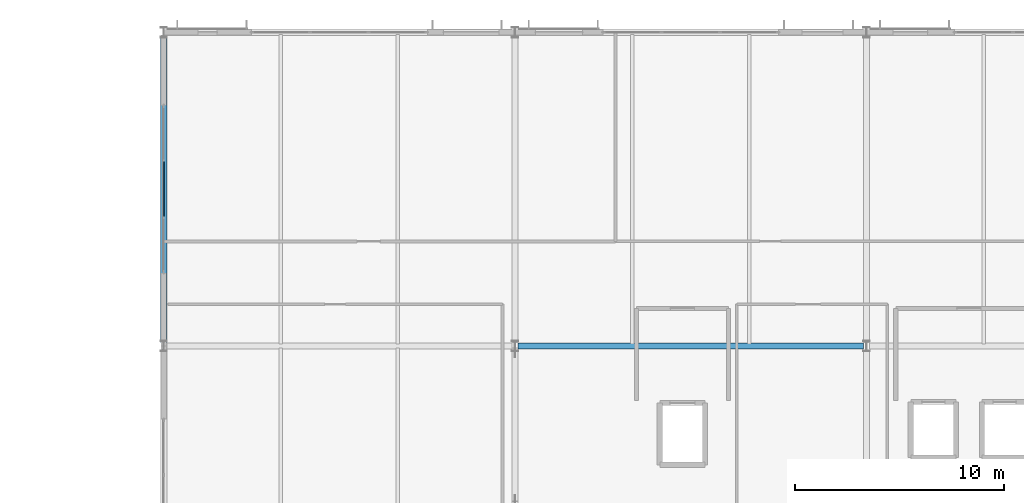
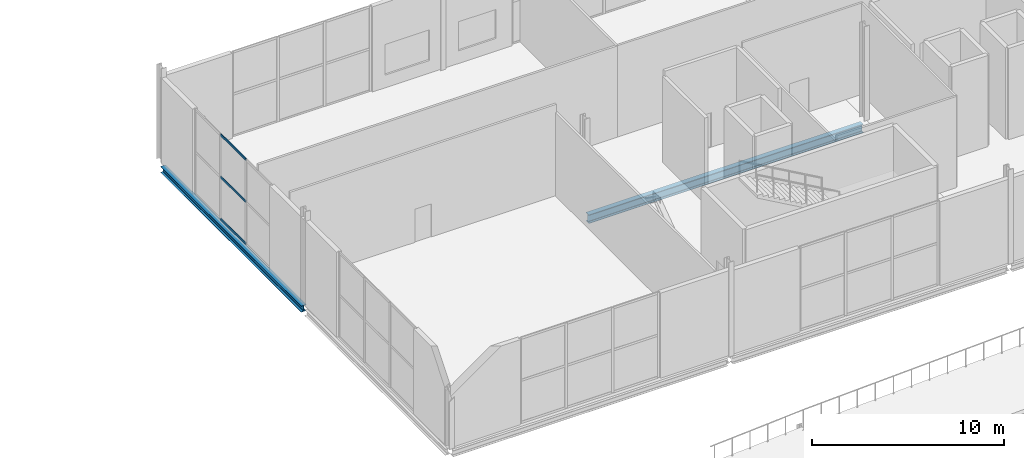
# One storey, part 30 of 100: 3 members, 2 beams, 1 element without a shape of its own.
"""IFC4 building model written with IfcOpenShell, lengths in metres."""

from ifc_helpers import new_model, si_unit, direction, frame, origin, origin_2d, place, context, subcontext, project, spatial, rectangle, i_section, extrude, material, material_profile, profile_set, type_object, element, aggregate, save


model = new_model("IFC4")

# Units and contexts
model_context = context("Model", 3, precision=1e-05, world=origin(), true_north=direction((0.0, 1.0)))
body_context = subcontext(model_context, "Body", "Model", "MODEL_VIEW")
ifc_project = project(units=[si_unit("LENGTHUNIT", "METRE"), si_unit("AREAUNIT", "SQUARE_METRE"), si_unit("VOLUMEUNIT", "CUBIC_METRE"), si_unit("PLANEANGLEUNIT", "RADIAN"), si_unit("MASSUNIT", "GRAM", prefix="KILO")], contexts=[model_context])

# Site, building, storey
site_placement = place(None, origin())
site = spatial("IfcSite", under=ifc_project, at=site_placement, CompositionType="ELEMENT")
building_placement = place(site_placement, origin())
building = spatial("IfcBuilding", under=site, at=building_placement, Name="Kimbaza Rail Terminus", CompositionType="ELEMENT")
storey_placement = place(building_placement, frame((0.0, 0.0, 10.800048828125)))
storey = spatial("IfcBuildingStorey", under=building, at=storey_placement, Name="L02", CompositionType="ELEMENT", Elevation=10.800048828125)

# Curtain wall, members
ifc_material_1 = material(Name="Anodised aluminium framing and solar low-E glazing", Category="aluminium")
curtain_wall_type = type_object("IfcCurtainWallType", Name="ARC-CW-OP1", PredefinedType="USERDEFINED", material=ifc_material_1)
curtain_wall_placement = place(storey_placement, origin())
curtain_wall = element("IfcCurtainWall", 1, at=curtain_wall_placement, inside=storey, type_object=curtain_wall_type, Name="Operations W Curtain Wall L02.2", ObjectType="UNITISED CURTAIN WALL", PredefinedType="USERDEFINED")
ifc_material_2 = material(Name="Anodised architectural aluminium", Category="aluminium")
ifc_material_profile_1 = material_profile(ifc_material_2, rectangle(XDim=0.06201171875, YDim=0.135009765625, at=origin_2d()), Name="TRANSOM 62x135")
ifc_profile_set_1 = profile_set([ifc_material_profile_1], Name="Anodised architectural aluminium")
member_type = type_object("IfcMemberType", Name="ARC-CWT-05", PredefinedType="USERDEFINED", material=ifc_profile_set_1)
member_1_placement = place(storey_placement, frame((55.199951171875, 124.19775390625, 0.031005859375), z_axis=(0.0, 1.0, 0.0), x_axis=(-1.0, 0.0, 0.0)))
member_1 = element("IfcMember", 2, at=member_1_placement, type_object=member_type, Name="CW-05 transom 2.1", ObjectType="TRANSOM", PredefinedType="USERDEFINED", context=body_context, shape_type="SweptSolid", body=[
    extrude(rectangle(XDim=0.06201171875, YDim=0.135009765625, at=origin_2d()), origin(), (0.0, 0.0, 1.0), 2.6044921875),
])
member_2_placement = place(storey_placement, frame((55.199951171875, 124.19775390625, 2.702392578125), z_axis=(0.0, 1.0, 0.0), x_axis=(-1.0, 0.0, 0.0)))
member_2 = element("IfcMember", 3, at=member_2_placement, type_object=member_type, Name="CW-05 transom 2.2", ObjectType="TRANSOM", PredefinedType="USERDEFINED", context=body_context, shape_type="SweptSolid", body=[
    extrude(rectangle(XDim=0.06201171875, YDim=0.135009765625, at=origin_2d()), origin(), (0.0, 0.0, 1.0), 2.6044921875),
])
member_3_placement = place(storey_placement, frame((55.199951171875, 124.19775390625, 5.3740234375), z_axis=(0.0, 1.0, 0.0), x_axis=(-1.0, 0.0, 0.0)))
member_3 = element("IfcMember", 4, at=member_3_placement, type_object=member_type, Name="CW-05 transom 2.3", ObjectType="TRANSOM", PredefinedType="USERDEFINED", context=body_context, shape_type="SweptSolid", body=[
    extrude(rectangle(XDim=0.06201171875, YDim=0.135009765625, at=origin_2d()), origin(), (0.0, 0.0, 1.0), 2.6044921875),
])
aggregate(curtain_wall, [member_1, member_2, member_3])

# Beams
ifc_material_3 = material(Name="Steel S355", Category="steel")
ifc_material_profile_2 = material_profile(ifc_material_3, i_section(OverallWidth=0.300048828125, OverallDepth=0.389892578125, WebThickness=0.010986328125, FlangeThickness=0.01904296875, FilletRadius=0.027099609375, at=origin_2d()), Name="HEA 400")
ifc_profile_set_2 = profile_set([ifc_material_profile_2], Name="Steel S355")
beam_type_1 = type_object("IfcBeamType", Name="STR-BM-HEA400", PredefinedType="SPANDREL", material=ifc_profile_set_2)
beam_1_placement = place(storey_placement, frame((55.199951171875, 118.175048828125, -0.43505859375), z_axis=(0.0, 1.0, 0.0), x_axis=(-1.0, 0.0, 0.0)))
element("IfcBeam", 5, at=beam_1_placement, inside=storey, type_object=beam_type_1, Name="Operations Cross Girder L02 X0-Y1", PredefinedType="SPANDREL", context=body_context, shape_type="SweptSolid", body=[
    extrude(i_section(OverallWidth=0.300048828125, OverallDepth=0.389892578125, WebThickness=0.010986328125, FlangeThickness=0.01904296875, FilletRadius=0.027099609375, at=origin_2d()), origin(), (0.0, 0.0, 1.0), 14.64990234375),
])
ifc_material_4 = material(Name="Steel S355", Category="steel")
ifc_material_profile_3 = material_profile(ifc_material_4, i_section(OverallWidth=0.300048828125, OverallDepth=0.550048828125, WebThickness=0.014892578125, FlangeThickness=0.029052734375, FilletRadius=0.027099609375, at=origin_2d()), Name="HEB 550")
ifc_profile_set_3 = profile_set([ifc_material_profile_3], Name="Steel S355")
beam_type_2 = type_object("IfcBeamType", Name="STR-BM-HEB550", PredefinedType="BEAM", material=ifc_profile_set_3)
beam_2_placement = place(storey_placement, frame((72.14599609375, 118.0, -0.51513671875), z_axis=(1.0, 0.0, 0.0), x_axis=(0.0, 1.0, 0.0)))
element("IfcBeam", 6, at=beam_2_placement, inside=storey, type_object=beam_type_2, Name="Operations Girder L02 X1-Y1", PredefinedType="BEAM", context=body_context, shape_type="SweptSolid", body=[
    extrude(i_section(OverallWidth=0.300048828125, OverallDepth=0.550048828125, WebThickness=0.014892578125, FlangeThickness=0.029052734375, FilletRadius=0.027099609375, at=origin_2d()), origin(), (0.0, 0.0, 1.0), 16.508056640625),
])

save(model, "model.ifc")
